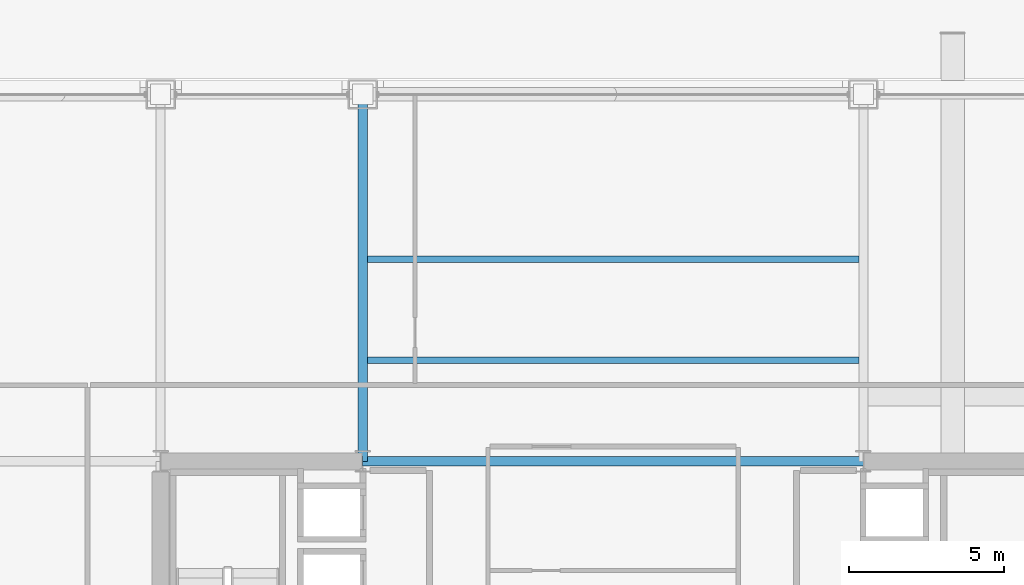
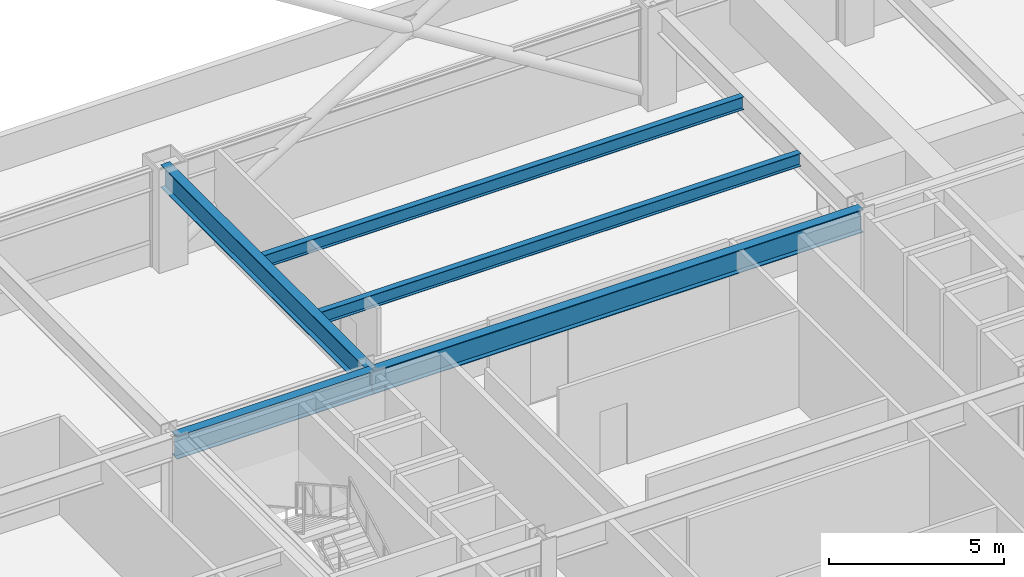
# One storey, part 20 of 33: 5 beams.
"""IFC4 building model written with IfcOpenShell, lengths in metres."""

import ifcopenshell
import ifcopenshell.guid

model = None  # the IFC model being written
_history = None  # IfcOwnerHistory: only IFC2X3 demands one
_inside = {}  # id of a spatial element -> (the spatial element, [elements in it])
_under = {}  # id of a project, library or spatial element -> (it, [spatial elements below it])
_declared = {}  # id of a project -> (the project, [libraries it declares])
_typed = {}  # id of a type object -> (the type object, [elements of that type])
_made_of = {}  # id of a material, layer set ... -> (it, [elements and type objects made of it])


def new_model(schema):
    """Start an empty IFC model of exactly this schema.

    Asked for "IFC4X3", IfcOpenShell would pick the latest addendum, in which some entities
    have other attributes; the version numbers below select the first issue.
    IFC2X3 requires an IfcOwnerHistory on every rooted entity: one is made here for all.
    """
    global model, _history
    if schema == "IFC4X3":
        model = ifcopenshell.file(schema_version=(4, 3, 0, 0))
    else:
        model = ifcopenshell.file(schema=schema)
    _inside.clear()
    _under.clear()
    _declared.clear()
    _typed.clear()
    _made_of.clear()
    _history = None
    if model.schema == "IFC2X3":
        org = make("IfcOrganization", Name="unknown")
        user = make(
            "IfcPersonAndOrganization",
            ThePerson=make("IfcPerson", FamilyName="unknown"),
            TheOrganization=org,
        )
        app = make(
            "IfcApplication",
            ApplicationDeveloper=org,
            Version="unknown",
            ApplicationFullName="unknown",
            ApplicationIdentifier="unknown",
        )
        _history = make(
            "IfcOwnerHistory",
            OwningUser=user,
            OwningApplication=app,
            ChangeAction="ADDED",
            CreationDate=0,
        )
    return model


def make(cls, **values):
    """One entity of the class cls with the attributes given. An attribute that is None is left unset."""
    return model.create_entity(
        cls, **{name: value for name, value in values.items() if value is not None}
    )


def rooted(cls, **values):
    """An entity with a GlobalId (a new one), such as an element, a storey or a relation."""
    return make(cls, GlobalId=ifcopenshell.guid.new(), OwnerHistory=_history, **values)


def si_unit(unit_type, name, prefix=None):
    """IfcSIUnit, for example si_unit("LENGTHUNIT", "METRE", prefix="MILLI")."""
    return make("IfcSIUnit", UnitType=unit_type, Prefix=prefix, Name=name)


def assignment(units):
    """IfcUnitAssignment: the units of a project."""
    return None if units is None else make("IfcUnitAssignment", Units=units)


def point(xyz):
    """IfcCartesianPoint."""
    return None if xyz is None else make("IfcCartesianPoint", Coordinates=xyz)


def direction(xyz):
    """IfcDirection."""
    return None if xyz is None else make("IfcDirection", DirectionRatios=xyz)


def frame(location, z_axis=None, x_axis=None):
    """IfcAxis2Placement3D, a coordinate frame: its origin and axes. An axis left out is left unset."""
    return make(
        "IfcAxis2Placement3D",
        Location=point(location),
        Axis=direction(z_axis),
        RefDirection=direction(x_axis),
    )


def frame_2d(location, x_axis=None):
    """IfcAxis2Placement2D, a coordinate frame in the plane: its origin and x axis."""
    return make(
        "IfcAxis2Placement2D", Location=point(location), RefDirection=direction(x_axis)
    )


def origin():
    """The frame at (0, 0, 0) with its axes left unset."""
    return frame((0.0, 0.0, 0.0))


def origin_2d():
    """The frame at (0, 0) in the plane with its x axis left unset."""
    return frame_2d((0.0, 0.0))


def place(relative_to, where):
    """IfcLocalPlacement: puts the frame where relative to a parent placement (None: the world)."""
    return make(
        "IfcLocalPlacement", PlacementRelTo=relative_to, RelativePlacement=where
    )


def context(
    kind, dimensions, precision=None, world=None, true_north=None, identifier=None
):
    """IfcGeometricRepresentationContext, for example the 3D "Model" context."""
    return make(
        "IfcGeometricRepresentationContext",
        ContextIdentifier=identifier,
        ContextType=kind,
        CoordinateSpaceDimension=dimensions,
        Precision=precision,
        WorldCoordinateSystem=world,
        TrueNorth=true_north,
    )


def subcontext(parent, identifier, kind, view, scale=None):
    """IfcGeometricRepresentationSubContext, for example "Body" below "Model"."""
    return make(
        "IfcGeometricRepresentationSubContext",
        ContextIdentifier=identifier,
        ContextType=kind,
        ParentContext=parent,
        TargetScale=scale,
        TargetView=view,
    )


def project(units=None, contexts=None):
    """IfcProject with its units and contexts."""
    return rooted(
        "IfcProject",
        Name="project",
        RepresentationContexts=contexts,
        UnitsInContext=assignment(units),
    )


def spatial(cls, under=None, at=None, **own):
    """A site, building, storey or space (cls), placed at a placement, below another one or the project."""
    s = rooted(cls, ObjectPlacement=at, **own)
    if under is not None:
        _under.setdefault(under.id(), (under, []))[1].append(s)
    return s


def profile(cls, at=None, kind="AREA", **sizes):
    """A parametric profile (cls). Its sizes go by their IFC names, for example OverallWidth=200.0."""
    return make(cls, ProfileType=kind, Position=at, **sizes)


def i_section(**sizes):
    """IfcIShapeProfileDef."""
    return profile("IfcIShapeProfileDef", **sizes)


def extrude(swept, where, along, depth):
    """IfcExtrudedAreaSolid: the profile swept, set in the frame where, extruded along a direction by depth."""
    return make(
        "IfcExtrudedAreaSolid",
        SweptArea=swept,
        Position=where,
        ExtrudedDirection=direction(along),
        Depth=depth,
    )


def shape(context_of_items, identifier, shape_type, items):
    """IfcShapeRepresentation: the items that make up one representation, for example the "Body"."""
    return make(
        "IfcShapeRepresentation",
        ContextOfItems=context_of_items,
        RepresentationIdentifier=identifier,
        RepresentationType=shape_type,
        Items=items,
    )


def material(Name=None, Category=None):
    """IfcMaterial."""
    return make("IfcMaterial", Name=Name, Category=Category)


def material_profile(
    of_material, cross_section, Name=None, Category=None, Priority=None
):
    """IfcMaterialProfile: a cross section and its material."""
    return make(
        "IfcMaterialProfile",
        Name=Name,
        Material=of_material,
        Profile=cross_section,
        Priority=Priority,
        Category=Category,
    )


def profile_set(profiles, Name=None, composite=None):
    """IfcMaterialProfileSet."""
    return make(
        "IfcMaterialProfileSet",
        Name=Name,
        MaterialProfiles=profiles,
        CompositeProfile=composite,
    )


def made_of(thing, what):
    """Note that an element or type object is made of a material, layer set ...; save() writes the relation."""
    if what is not None:
        _made_of.setdefault(what.id(), (what, []))[1].append(thing)
    return thing


def type_object(cls, material=None, **own):
    """A type object (cls), such as IfcWallType, which elements share."""
    return made_of(rooted(cls, **own), material)


def element(
    cls,
    number,
    at=None,
    inside=None,
    cuts=None,
    type_object=None,
    material=None,
    context=None,
    identifier="Body",
    shape_type=None,
    held_by="IfcProductDefinitionShape",
    body=None,
    shapes=None,
    **own,
):
    """One element of the class cls, such as IfcWall. Its Tag is "e" and its number.

    at: its placement. inside: the storey or other place that contains it. cuts: it is an
    opening in that element (IfcRelVoidsElement). A single representation is given by context,
    identifier, shape_type and body (its items); several are given by shapes. held_by: the class
    of the entity that holds the representations. save() writes the other relations.
    """
    e = rooted(cls, Tag="e%d" % number, ObjectPlacement=at, **own)
    if body is not None:
        shapes = [shape(context, identifier, shape_type, body)]
    if shapes is not None:
        e.Representation = make(held_by, Representations=shapes)
    if inside is not None:
        _inside.setdefault(inside.id(), (inside, []))[1].append(e)
    if cuts is not None:
        rooted(
            "IfcRelVoidsElement", RelatingBuildingElement=cuts, RelatedOpeningElement=e
        )
    if type_object is not None:
        _typed.setdefault(type_object.id(), (type_object, []))[1].append(e)
    return made_of(e, material)


def aggregate(whole, parts):
    """IfcRelAggregates: a whole, such as a stair, and the parts it consists of."""
    return rooted("IfcRelAggregates", RelatingObject=whole, RelatedObjects=parts)


def save(model, path):
    """Write the relations noted so far, then the file.

    IfcRelAggregates (storeys below a building ...), IfcRelContainedInSpatialStructure (elements
    in a storey), IfcRelDefinesByType, IfcRelAssociatesMaterial and IfcRelDeclares: one each for
    every whole, place, type object, material and project.
    """
    for whole, parts in _under.values():
        aggregate(whole, parts)
    for where, things in _inside.values():
        rooted(
            "IfcRelContainedInSpatialStructure",
            RelatedElements=things,
            RelatingStructure=where,
        )
    for kind, things in _typed.values():
        rooted("IfcRelDefinesByType", RelatedObjects=things, RelatingType=kind)
    for what, things in _made_of.values():
        rooted("IfcRelAssociatesMaterial", RelatedObjects=things, RelatingMaterial=what)
    for by, libraries in _declared.values():
        rooted("IfcRelDeclares", RelatingContext=by, RelatedDefinitions=libraries)
    model.write(path)


model = new_model("IFC4")

# Units and contexts
model_context = context("Model", 3, precision=1e-05, world=origin(), true_north=direction((0.0, 1.0)))
body_context = subcontext(model_context, "Body", "Model", "MODEL_VIEW")
ifc_project = project(units=[si_unit("LENGTHUNIT", "METRE"), si_unit("AREAUNIT", "SQUARE_METRE"), si_unit("VOLUMEUNIT", "CUBIC_METRE"), si_unit("PLANEANGLEUNIT", "RADIAN"), si_unit("MASSUNIT", "GRAM", prefix="KILO")], contexts=[model_context])

# Site, building, storey
site_placement = place(None, origin())
site = spatial("IfcSite", under=ifc_project, at=site_placement, CompositionType="ELEMENT")
building_placement = place(site_placement, origin())
building = spatial("IfcBuilding", under=site, at=building_placement, Name="Brelmoor Portico Tower", CompositionType="ELEMENT")
storey_placement = place(building_placement, frame((0.0, 0.0, 24.0)))
storey = spatial("IfcBuildingStorey", under=building, at=storey_placement, Name="L05", CompositionType="ELEMENT", Elevation=24.0)

# Beams
ifc_material = material(Name="Steel Q355B", Category="steel")
ifc_material_profile_1 = material_profile(ifc_material, i_section(OverallWidth=0.199951171875, OverallDepth=0.449951171875, WebThickness=0.009033203125, FlangeThickness=0.013916015625, at=origin_2d()), Name="HN 450x200x9x14")
ifc_profile_set_1 = profile_set([ifc_material_profile_1], Name="Steel Q355B")
beam_type_1 = type_object("IfcBeamType", Name="BM-JS-450", PredefinedType="JOIST", material=ifc_profile_set_1)
for number, where, z_axis, x_axis, name in (
    (1, (-7.89990234375, 13.0, 3.175048828125), (1.0, 0.0, 0.0), (0.0, 1.0, 0.0), "L05 Secondary Composite Joist JS-C03"),
    (2, (-7.89990234375, 16.25, 3.175048828125), (1.0, 0.0, 0.0), (0.0, 1.0, 0.0), "L05 Secondary Composite Joist JS-C04"),
):
    element("IfcBeam", number, at=place(storey_placement, frame(where, z_axis=z_axis, x_axis=x_axis)), inside=storey, type_object=beam_type_1, Name=name, PredefinedType="JOIST", context=body_context, shape_type="SweptSolid", body=[
        extrude(i_section(OverallWidth=0.199951171875, OverallDepth=0.449951171875, WebThickness=0.009033203125, FlangeThickness=0.013916015625, at=origin_2d()), origin(), (0.0, 0.0, 1.0), 15.7998046875),
    ])
ifc_material_profile_2 = material_profile(ifc_material, i_section(OverallWidth=0.300048828125, OverallDepth=0.800048828125, WebThickness=0.013916015625, FlangeThickness=0.02587890625, at=origin_2d()), Name="HN 800x300x14x26")
ifc_profile_set_2 = profile_set([ifc_material_profile_2], Name="Steel Q355B")
beam_type_2 = type_object("IfcBeamType", Name="BM-PG-800", PredefinedType="BEAM", material=ifc_profile_set_2)
beam_1_placement = place(storey_placement, frame((-8.050048828125, 9.75, 3.0), z_axis=(0.0, 1.0, 0.0), x_axis=(-1.0, 0.0, 0.0)))
element("IfcBeam", 3, at=beam_1_placement, inside=storey, type_object=beam_type_2, Name="L05 Primary Floor Girder PG-08", PredefinedType="BEAM", context=body_context, shape_type="SweptSolid", body=[
    extrude(i_section(OverallWidth=0.300048828125, OverallDepth=0.800048828125, WebThickness=0.013916015625, FlangeThickness=0.02587890625, at=origin_2d()), origin(), (0.0, 0.0, 1.0), 11.800048828125),
])
beam_2_placement = place(storey_placement, frame((-14.550048828125, 9.75, 3.0), z_axis=(1.0, 0.0, 0.0), x_axis=(0.0, 1.0, 0.0)))
element("IfcBeam", 4, at=beam_2_placement, inside=storey, type_object=beam_type_2, Name="L05 Primary Floor Girder PG-28", PredefinedType="BEAM", context=body_context, shape_type="SweptSolid", body=[
    extrude(i_section(OverallWidth=0.300048828125, OverallDepth=0.800048828125, WebThickness=0.013916015625, FlangeThickness=0.02587890625, at=origin_2d()), origin(), (0.0, 0.0, 1.0), 6.5),
])
beam_3_placement = place(storey_placement, frame((-8.050048828125, 9.75, 3.0), z_axis=(1.0, 0.0, 0.0), x_axis=(0.0, 1.0, 0.0)))
element("IfcBeam", 5, at=beam_3_placement, inside=storey, type_object=beam_type_2, Name="L05 Primary Floor Girder PG-29", PredefinedType="BEAM", context=body_context, shape_type="SweptSolid", body=[
    extrude(i_section(OverallWidth=0.300048828125, OverallDepth=0.800048828125, WebThickness=0.013916015625, FlangeThickness=0.02587890625, at=origin_2d()), origin(), (0.0, 0.0, 1.0), 16.10009765625),
])

save(model, "model.ifc")
